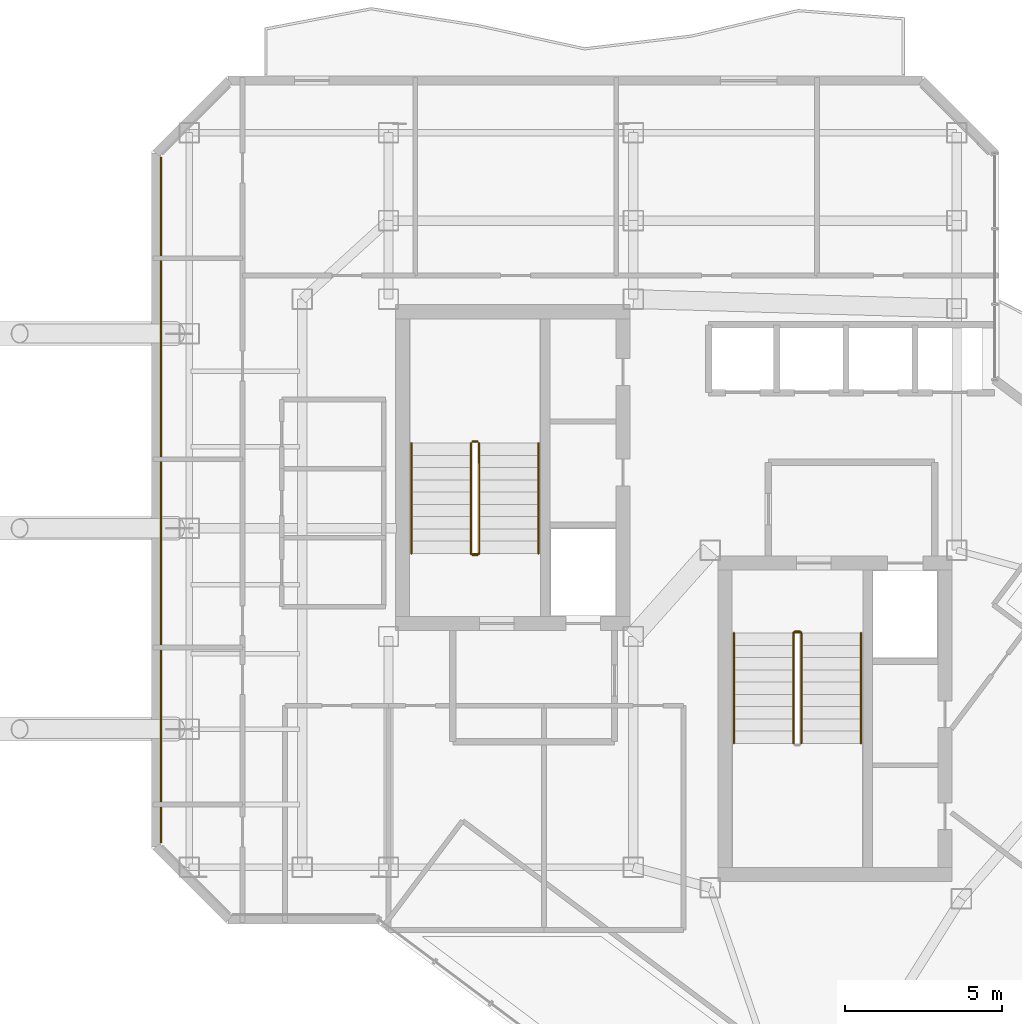
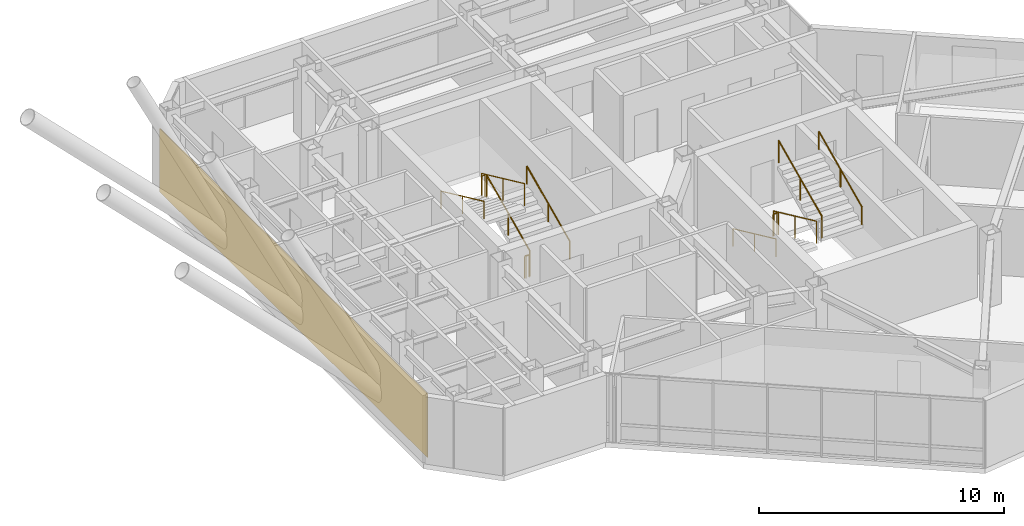
# One storey, part 20 of 21: 13 railings, 1 covering.
"""IFC4 building model written with IfcOpenShell, lengths in metres."""

import ifcopenshell
import ifcopenshell.guid

model = None  # the IFC model being written
_history = None  # IfcOwnerHistory: only IFC2X3 demands one
_inside = {}  # id of a spatial element -> (the spatial element, [elements in it])
_under = {}  # id of a project, library or spatial element -> (it, [spatial elements below it])
_declared = {}  # id of a project -> (the project, [libraries it declares])
_typed = {}  # id of a type object -> (the type object, [elements of that type])
_made_of = {}  # id of a material, layer set ... -> (it, [elements and type objects made of it])


def new_model(schema):
    """Start an empty IFC model of exactly this schema.

    Asked for "IFC4X3", IfcOpenShell would pick the latest addendum, in which some entities
    have other attributes; the version numbers below select the first issue.
    IFC2X3 requires an IfcOwnerHistory on every rooted entity: one is made here for all.
    """
    global model, _history
    if schema == "IFC4X3":
        model = ifcopenshell.file(schema_version=(4, 3, 0, 0))
    else:
        model = ifcopenshell.file(schema=schema)
    _inside.clear()
    _under.clear()
    _declared.clear()
    _typed.clear()
    _made_of.clear()
    _history = None
    if model.schema == "IFC2X3":
        org = make("IfcOrganization", Name="unknown")
        user = make(
            "IfcPersonAndOrganization",
            ThePerson=make("IfcPerson", FamilyName="unknown"),
            TheOrganization=org,
        )
        app = make(
            "IfcApplication",
            ApplicationDeveloper=org,
            Version="unknown",
            ApplicationFullName="unknown",
            ApplicationIdentifier="unknown",
        )
        _history = make(
            "IfcOwnerHistory",
            OwningUser=user,
            OwningApplication=app,
            ChangeAction="ADDED",
            CreationDate=0,
        )
    return model


def make(cls, **values):
    """One entity of the class cls with the attributes given. An attribute that is None is left unset."""
    return model.create_entity(
        cls, **{name: value for name, value in values.items() if value is not None}
    )


def rooted(cls, **values):
    """An entity with a GlobalId (a new one), such as an element, a storey or a relation."""
    return make(cls, GlobalId=ifcopenshell.guid.new(), OwnerHistory=_history, **values)


def si_unit(unit_type, name, prefix=None):
    """IfcSIUnit, for example si_unit("LENGTHUNIT", "METRE", prefix="MILLI")."""
    return make("IfcSIUnit", UnitType=unit_type, Prefix=prefix, Name=name)


def assignment(units):
    """IfcUnitAssignment: the units of a project."""
    return None if units is None else make("IfcUnitAssignment", Units=units)


def point(xyz):
    """IfcCartesianPoint."""
    return None if xyz is None else make("IfcCartesianPoint", Coordinates=xyz)


def direction(xyz):
    """IfcDirection."""
    return None if xyz is None else make("IfcDirection", DirectionRatios=xyz)


def frame(location, z_axis=None, x_axis=None):
    """IfcAxis2Placement3D, a coordinate frame: its origin and axes. An axis left out is left unset."""
    return make(
        "IfcAxis2Placement3D",
        Location=point(location),
        Axis=direction(z_axis),
        RefDirection=direction(x_axis),
    )


def frame_2d(location, x_axis=None):
    """IfcAxis2Placement2D, a coordinate frame in the plane: its origin and x axis."""
    return make(
        "IfcAxis2Placement2D", Location=point(location), RefDirection=direction(x_axis)
    )


def origin():
    """The frame at (0, 0, 0) with its axes left unset."""
    return frame((0.0, 0.0, 0.0))


def origin_2d():
    """The frame at (0, 0) in the plane with its x axis left unset."""
    return frame_2d((0.0, 0.0))


def place(relative_to, where):
    """IfcLocalPlacement: puts the frame where relative to a parent placement (None: the world)."""
    return make(
        "IfcLocalPlacement", PlacementRelTo=relative_to, RelativePlacement=where
    )


def context(
    kind, dimensions, precision=None, world=None, true_north=None, identifier=None
):
    """IfcGeometricRepresentationContext, for example the 3D "Model" context."""
    return make(
        "IfcGeometricRepresentationContext",
        ContextIdentifier=identifier,
        ContextType=kind,
        CoordinateSpaceDimension=dimensions,
        Precision=precision,
        WorldCoordinateSystem=world,
        TrueNorth=true_north,
    )


def subcontext(parent, identifier, kind, view, scale=None):
    """IfcGeometricRepresentationSubContext, for example "Body" below "Model"."""
    return make(
        "IfcGeometricRepresentationSubContext",
        ContextIdentifier=identifier,
        ContextType=kind,
        ParentContext=parent,
        TargetScale=scale,
        TargetView=view,
    )


def project(units=None, contexts=None):
    """IfcProject with its units and contexts."""
    return rooted(
        "IfcProject",
        Name="project",
        RepresentationContexts=contexts,
        UnitsInContext=assignment(units),
    )


def spatial(cls, under=None, at=None, **own):
    """A site, building, storey or space (cls), placed at a placement, below another one or the project."""
    s = rooted(cls, ObjectPlacement=at, **own)
    if under is not None:
        _under.setdefault(under.id(), (under, []))[1].append(s)
    return s


def profile(cls, at=None, kind="AREA", **sizes):
    """A parametric profile (cls). Its sizes go by their IFC names, for example OverallWidth=200.0."""
    return make(cls, ProfileType=kind, Position=at, **sizes)


def rectangle(**sizes):
    """IfcRectangleProfileDef."""
    return profile("IfcRectangleProfileDef", **sizes)


def circle(**sizes):
    """IfcCircleProfileDef."""
    return profile("IfcCircleProfileDef", **sizes)


def extrude(swept, where, along, depth):
    """IfcExtrudedAreaSolid: the profile swept, set in the frame where, extruded along a direction by depth."""
    return make(
        "IfcExtrudedAreaSolid",
        SweptArea=swept,
        Position=where,
        ExtrudedDirection=direction(along),
        Depth=depth,
    )


def shape(context_of_items, identifier, shape_type, items):
    """IfcShapeRepresentation: the items that make up one representation, for example the "Body"."""
    return make(
        "IfcShapeRepresentation",
        ContextOfItems=context_of_items,
        RepresentationIdentifier=identifier,
        RepresentationType=shape_type,
        Items=items,
    )


def material(Name=None, Category=None):
    """IfcMaterial."""
    return make("IfcMaterial", Name=Name, Category=Category)


def layer(
    of_material, thickness, ventilated=None, Name=None, Category=None, Priority=None
):
    """IfcMaterialLayer: one layer of a wall or slab, of a material (None: an air gap)."""
    return make(
        "IfcMaterialLayer",
        Material=of_material,
        LayerThickness=thickness,
        IsVentilated=ventilated,
        Name=Name,
        Category=Category,
        Priority=Priority,
    )


def layer_set(layers, Name=None):
    """IfcMaterialLayerSet."""
    return make("IfcMaterialLayerSet", MaterialLayers=layers, LayerSetName=Name)


def made_of(thing, what):
    """Note that an element or type object is made of a material, layer set ...; save() writes the relation."""
    if what is not None:
        _made_of.setdefault(what.id(), (what, []))[1].append(thing)
    return thing


def type_object(cls, material=None, **own):
    """A type object (cls), such as IfcWallType, which elements share."""
    return made_of(rooted(cls, **own), material)


def element(
    cls,
    number,
    at=None,
    inside=None,
    cuts=None,
    type_object=None,
    material=None,
    context=None,
    identifier="Body",
    shape_type=None,
    held_by="IfcProductDefinitionShape",
    body=None,
    shapes=None,
    **own,
):
    """One element of the class cls, such as IfcWall. Its Tag is "e" and its number.

    at: its placement. inside: the storey or other place that contains it. cuts: it is an
    opening in that element (IfcRelVoidsElement). A single representation is given by context,
    identifier, shape_type and body (its items); several are given by shapes. held_by: the class
    of the entity that holds the representations. save() writes the other relations.
    """
    e = rooted(cls, Tag="e%d" % number, ObjectPlacement=at, **own)
    if body is not None:
        shapes = [shape(context, identifier, shape_type, body)]
    if shapes is not None:
        e.Representation = make(held_by, Representations=shapes)
    if inside is not None:
        _inside.setdefault(inside.id(), (inside, []))[1].append(e)
    if cuts is not None:
        rooted(
            "IfcRelVoidsElement", RelatingBuildingElement=cuts, RelatedOpeningElement=e
        )
    if type_object is not None:
        _typed.setdefault(type_object.id(), (type_object, []))[1].append(e)
    return made_of(e, material)


def aggregate(whole, parts):
    """IfcRelAggregates: a whole, such as a stair, and the parts it consists of."""
    return rooted("IfcRelAggregates", RelatingObject=whole, RelatedObjects=parts)


def save(model, path):
    """Write the relations noted so far, then the file.

    IfcRelAggregates (storeys below a building ...), IfcRelContainedInSpatialStructure (elements
    in a storey), IfcRelDefinesByType, IfcRelAssociatesMaterial and IfcRelDeclares: one each for
    every whole, place, type object, material and project.
    """
    for whole, parts in _under.values():
        aggregate(whole, parts)
    for where, things in _inside.values():
        rooted(
            "IfcRelContainedInSpatialStructure",
            RelatedElements=things,
            RelatingStructure=where,
        )
    for kind, things in _typed.values():
        rooted("IfcRelDefinesByType", RelatedObjects=things, RelatingType=kind)
    for what, things in _made_of.values():
        rooted("IfcRelAssociatesMaterial", RelatedObjects=things, RelatingMaterial=what)
    for by, libraries in _declared.values():
        rooted("IfcRelDeclares", RelatingContext=by, RelatedDefinitions=libraries)
    model.write(path)


model = new_model("IFC4")

# Units and contexts
model_context = context("Model", 3, precision=1e-05, world=origin(), true_north=direction((0.0, 1.0)))
body_context = subcontext(model_context, "Body", "Model", "MODEL_VIEW")
ifc_project = project(units=[si_unit("LENGTHUNIT", "METRE"), si_unit("AREAUNIT", "SQUARE_METRE"), si_unit("VOLUMEUNIT", "CUBIC_METRE"), si_unit("PLANEANGLEUNIT", "RADIAN"), si_unit("MASSUNIT", "GRAM", prefix="KILO")], contexts=[model_context])

# Site, building, storey
site_placement = place(None, origin())
site = spatial("IfcSite", under=ifc_project, at=site_placement, CompositionType="ELEMENT")
building_placement = place(site_placement, origin())
building = spatial("IfcBuilding", under=site, at=building_placement, Name="Hatsunagi Terrace Concourse", CompositionType="ELEMENT")
storey_placement = place(building_placement, frame((0.0, 0.0, 246.75)))
storey = spatial("IfcBuildingStorey", under=building, at=storey_placement, Name="L65", CompositionType="ELEMENT", Elevation=246.75)

# Railings
ifc_material_1 = material(Name="Stainless steel", Category="steel")
ifc_layer_1 = layer(ifc_material_1, 0.044921875)
ifc_layer_set_1 = layer_set([ifc_layer_1], Name="StairPitchHandrail_Tower2000")
railing_type_1 = type_object("IfcRailingType", Name="StairPitchHandrail_Tower2000", PredefinedType="HANDRAIL", material=ifc_layer_set_1)
railing_1_placement = place(storey_placement, frame((30.330078125, 35.199951171875, 0.179931640625)))
element("IfcRailing", 1, at=railing_1_placement, inside=storey, type_object=railing_type_1, Name="L65 ST-A stair handrail 1", PredefinedType="HANDRAIL", context=body_context, shape_type="SweptSolid", body=[
    extrude(circle(Radius=0.02392578125, at=origin_2d()), frame((0.0, 0.0, 0.8759765625), z_axis=(0.0, 0.907948293929, 0.419082206198), x_axis=(-1.0, 0.0, 0.0)), (0.0, 0.0, 1.0), 3.865966796875),
    extrude(circle(Radius=0.02099609375, at=origin_2d()), origin(), (0.0, 0.0, 1.0), 0.851806640625),
    extrude(circle(Radius=0.02099609375, at=origin_2d()), frame((0.0, 1.7548828125, 0.81005859375)), (0.0, 0.0, 1.0), 0.851806640625),
    extrude(circle(Radius=0.02099609375, at=origin_2d()), frame((0.0, 3.510009765625, 1.6201171875)), (0.0, 0.0, 1.0), 0.851806640625),
])
for number, where, name in (
    (2, (26.280029296875, 38.7099609375, 1.97998046875), "L65 ST-A stair handrail 2"),
    (3, (36.550048828125, 32.659912109375, 0.179931640625), "L65 ST-B stair handrail 1"),
):
    element("IfcRailing", number, at=place(storey_placement, frame(where)), inside=storey, type_object=railing_type_1, Name=name, PredefinedType="HANDRAIL", context=body_context, shape_type="SweptSolid", body=[
        extrude(circle(Radius=0.02392578125, at=origin_2d()), frame((0.0, 0.0, 0.8759765625), z_axis=(0.0, -0.907948293929, 0.419082206198), x_axis=(1.0, 0.0, 0.0)), (0.0, 0.0, 1.0), 3.865966796875),
        extrude(circle(Radius=0.02099609375, at=origin_2d()), origin(), (0.0, 0.0, 1.0), 0.851806640625),
        extrude(circle(Radius=0.02099609375, at=origin_2d()), frame((0.0, -1.7548828125, 0.81005859375)), (0.0, 0.0, 1.0), 0.851806640625),
        extrude(circle(Radius=0.02099609375, at=origin_2d()), frame((0.0, -3.510009765625, 1.6201171875)), (0.0, 0.0, 1.0), 0.851806640625),
    ])
railing_2_placement = place(storey_placement, frame((40.60009765625, 29.14990234375, 1.97998046875)))
element("IfcRailing", 4, at=railing_2_placement, inside=storey, type_object=railing_type_1, Name="L65 ST-B stair handrail 2", PredefinedType="HANDRAIL", context=body_context, shape_type="SweptSolid", body=[
    extrude(circle(Radius=0.02392578125, at=origin_2d()), frame((0.0, 0.0, 0.8759765625), z_axis=(0.0, 0.907948293929, 0.419082206198), x_axis=(-1.0, 0.0, 0.0)), (0.0, 0.0, 1.0), 3.865966796875),
    extrude(circle(Radius=0.02099609375, at=origin_2d()), origin(), (0.0, 0.0, 1.0), 0.851806640625),
    extrude(circle(Radius=0.02099609375, at=origin_2d()), frame((0.0, 1.7548828125, 0.81005859375)), (0.0, 0.0, 1.0), 0.851806640625),
    extrude(circle(Radius=0.02099609375, at=origin_2d()), frame((0.0, 3.510009765625, 1.6201171875)), (0.0, 0.0, 1.0), 0.851806640625),
])
ifc_material_2 = material(Name="Stainless steel", Category="steel")
ifc_layer_2 = layer(ifc_material_2, 0.06005859375)
ifc_layer_set_2 = layer_set([ifc_layer_2], Name="StairWellGuard_Tower2000")
railing_type_2 = type_object("IfcRailingType", Name="StairWellGuard_Tower2000", PredefinedType="BALUSTRADE", material=ifc_layer_set_2)
railing_3_placement = place(storey_placement, frame((28.429931640625, 35.199951171875, 0.179931640625)))
element("IfcRailing", 5, at=railing_3_placement, inside=storey, type_object=railing_type_2, Name="L65 ST-A stair guard 1", PredefinedType="BALUSTRADE", context=body_context, shape_type="SweptSolid", body=[
    extrude(circle(Radius=0.02392578125, at=origin_2d()), frame((0.0, 0.0, 1.09619140625), z_axis=(0.0, 0.907948293929, 0.419082206198), x_axis=(-1.0, 0.0, 0.0)), (0.0, 0.0, 1.0), 3.865966796875),
    extrude(circle(Radius=0.02099609375, at=origin_2d()), origin(), (0.0, 0.0, 1.0), 1.072021484375),
    extrude(circle(Radius=0.02099609375, at=origin_2d()), frame((0.0, 1.7548828125, 0.81005859375)), (0.0, 0.0, 1.0), 1.072021484375),
    extrude(circle(Radius=0.02099609375, at=origin_2d()), frame((0.0, 3.510009765625, 1.6201171875)), (0.0, 0.0, 1.0), 1.072021484375),
])
railing_4_placement = place(storey_placement, frame((28.3798828125, 38.760009765625, 1.800048828125)))
element("IfcRailing", 6, at=railing_4_placement, inside=storey, type_object=railing_type_2, Name="L65 ST-A stair guard 2", PredefinedType="BALUSTRADE", context=body_context, shape_type="SweptSolid", body=[
    extrude(circle(Radius=0.02392578125, at=origin_2d()), frame((0.0, 0.0, 1.09619140625), z_axis=(-1.0, 0.0, 0.0), x_axis=(0.0, -1.0, 0.0)), (0.0, 0.0, 1.0), 0.14990234375),
    extrude(circle(Radius=0.02099609375, at=origin_2d()), origin(), (0.0, 0.0, 1.0), 1.072021484375),
    extrude(circle(Radius=0.02099609375, at=origin_2d()), frame((-0.14990234375, 0.0, 0.0)), (0.0, 0.0, 1.0), 1.072021484375),
])
railing_5_placement = place(storey_placement, frame((28.179931640625, 38.7099609375, 1.97998046875)))
element("IfcRailing", 7, at=railing_5_placement, inside=storey, type_object=railing_type_2, Name="L65 ST-A stair guard 3", PredefinedType="BALUSTRADE", context=body_context, shape_type="SweptSolid", body=[
    extrude(circle(Radius=0.02392578125, at=origin_2d()), frame((0.0, 0.0, 1.09619140625), z_axis=(0.0, -0.907948293929, 0.419082206198), x_axis=(1.0, 0.0, 0.0)), (0.0, 0.0, 1.0), 3.865966796875),
    extrude(circle(Radius=0.02099609375, at=origin_2d()), origin(), (0.0, 0.0, 1.0), 1.072021484375),
    extrude(circle(Radius=0.02099609375, at=origin_2d()), frame((0.0, -1.7548828125, 0.81005859375)), (0.0, 0.0, 1.0), 1.072021484375),
    extrude(circle(Radius=0.02099609375, at=origin_2d()), frame((0.0, -3.510009765625, 1.6201171875)), (0.0, 0.0, 1.0), 1.072021484375),
])
railing_6_placement = place(storey_placement, frame((28.3798828125, 35.14990234375, 0.0)))
element("IfcRailing", 8, at=railing_6_placement, inside=storey, type_object=railing_type_2, Name="L65 ST-A stair guard 4", PredefinedType="BALUSTRADE", context=body_context, shape_type="SweptSolid", body=[
    extrude(circle(Radius=0.02392578125, at=origin_2d()), frame((0.0, 0.0, 1.09619140625), z_axis=(-1.0, 0.0, 0.0), x_axis=(0.0, -1.0, 0.0)), (0.0, 0.0, 1.0), 0.14990234375),
    extrude(circle(Radius=0.02099609375, at=origin_2d()), origin(), (0.0, 0.0, 1.0), 1.072021484375),
    extrude(circle(Radius=0.02099609375, at=origin_2d()), frame((-0.14990234375, 0.0, 0.0)), (0.0, 0.0, 1.0), 1.072021484375),
])
railing_7_placement = place(storey_placement, frame((38.449951171875, 32.659912109375, 0.179931640625)))
element("IfcRailing", 9, at=railing_7_placement, inside=storey, type_object=railing_type_2, Name="L65 ST-B stair guard 1", PredefinedType="BALUSTRADE", context=body_context, shape_type="SweptSolid", body=[
    extrude(circle(Radius=0.02392578125, at=origin_2d()), frame((0.0, 0.0, 1.09619140625), z_axis=(0.0, -0.907948293929, 0.419082206198), x_axis=(1.0, 0.0, 0.0)), (0.0, 0.0, 1.0), 3.865966796875),
    extrude(circle(Radius=0.02099609375, at=origin_2d()), origin(), (0.0, 0.0, 1.0), 1.072021484375),
    extrude(circle(Radius=0.02099609375, at=origin_2d()), frame((0.0, -1.7548828125, 0.81005859375)), (0.0, 0.0, 1.0), 1.072021484375),
    extrude(circle(Radius=0.02099609375, at=origin_2d()), frame((0.0, -3.510009765625, 1.6201171875)), (0.0, 0.0, 1.0), 1.072021484375),
])
railing_8_placement = place(storey_placement, frame((38.699951171875, 29.14990234375, 1.97998046875)))
element("IfcRailing", 10, at=railing_8_placement, inside=storey, type_object=railing_type_2, Name="L65 ST-B stair guard 3", PredefinedType="BALUSTRADE", context=body_context, shape_type="SweptSolid", body=[
    extrude(circle(Radius=0.02392578125, at=origin_2d()), frame((0.0, 0.0, 1.09619140625), z_axis=(0.0, 0.907948293929, 0.419082206198), x_axis=(-1.0, 0.0, 0.0)), (0.0, 0.0, 1.0), 3.865966796875),
    extrude(circle(Radius=0.02099609375, at=origin_2d()), origin(), (0.0, 0.0, 1.0), 1.072021484375),
    extrude(circle(Radius=0.02099609375, at=origin_2d()), frame((0.0, 1.7548828125, 0.81005859375)), (0.0, 0.0, 1.0), 1.072021484375),
    extrude(circle(Radius=0.02099609375, at=origin_2d()), frame((0.0, 3.510009765625, 1.6201171875)), (0.0, 0.0, 1.0), 1.072021484375),
])
railing_9_placement = place(storey_placement, frame((38.5, 32.7099609375, 0.0)))
element("IfcRailing", 11, at=railing_9_placement, inside=storey, type_object=railing_type_2, Name="L65 ST-B stair guard 4", PredefinedType="BALUSTRADE", context=body_context, shape_type="SweptSolid", body=[
    extrude(circle(Radius=0.02392578125, at=origin_2d()), frame((0.0, 0.0, 1.09619140625), z_axis=(1.0, 0.0, 0.0), x_axis=(0.0, 1.0, 0.0)), (0.0, 0.0, 1.0), 0.14990234375),
    extrude(circle(Radius=0.02099609375, at=origin_2d()), origin(), (0.0, 0.0, 1.0), 1.072021484375),
    extrude(circle(Radius=0.02099609375, at=origin_2d()), frame((0.14990234375, 0.0, 0.0)), (0.0, 0.0, 1.0), 1.072021484375),
])
ifc_material_3 = material(Name="Stainless Steel SUS316 Post-and-Rail Guard", Category="steel")
ifc_layer_3 = layer(ifc_material_3, 0.080078125)
ifc_layer_set_3 = layer_set([ifc_layer_3], Name="TerracePlantedGuardRail_1200")
railing_type_3 = type_object("IfcRailingType", Name="TerracePlantedGuardRail_1200", PredefinedType="GUARDRAIL", material=ifc_layer_set_3)
for number, where, name in (
    (12, (28.179931640625, 35.179931640625, 0.0), "Stair ST-A Well Closure Guard L65"),
    (13, (38.449951171875, 32.679931640625, 0.0), "Stair ST-B Well Closure Guard L65"),
):
    element("IfcRailing", number, at=place(storey_placement, frame(where)), inside=storey, type_object=railing_type_3, Name=name, PredefinedType="GUARDRAIL", context=body_context, shape_type="SweptSolid", body=[
        extrude(circle(Radius=0.02392578125, at=origin_2d()), frame((0.0, 0.0, 1.09619140625), z_axis=(1.0, 0.0, 0.0), x_axis=(0.0, 1.0, 0.0)), (0.0, 0.0, 1.0), 0.25),
        extrude(circle(Radius=0.02099609375, at=origin_2d()), origin(), (0.0, 0.0, 1.0), 1.072021484375),
        extrude(circle(Radius=0.02099609375, at=origin_2d()), frame((0.25, 0.0, 0.0)), (0.0, 0.0, 1.0), 1.072021484375),
    ])

# Covering
ifc_material_4 = material(Name="Unglazed Warm Terracotta Rainscreen Tile", Category="masonry")
ifc_layer_4 = layer(ifc_material_4, 0.044921875)
ifc_layer_set_4 = layer_set([ifc_layer_4], Name="TerracottaRainscreenCladding_45")
covering_type = type_object("IfcCoveringType", Name="TerracottaRainscreenCladding_45", PredefinedType="CLADDING", material=ifc_layer_set_4)
covering_placement = place(storey_placement, frame((18.302001953125, 36.89990234375, 0.10009765625), z_axis=(0.0, 0.0, 1.0), x_axis=(0.0, 1.0, 0.0)))
element("IfcCovering", 14, at=covering_placement, inside=storey, type_object=covering_type, Name="Terracotta Rainscreen Cladding L65-08", PredefinedType="CLADDING", context=body_context, shape_type="SweptSolid", body=[
    extrude(rectangle(XDim=21.843994140625, YDim=0.044921875, at=origin_2d()), origin(), (0.0, 0.0, 1.0), 3.14990234375),
])

save(model, "model.ifc")
